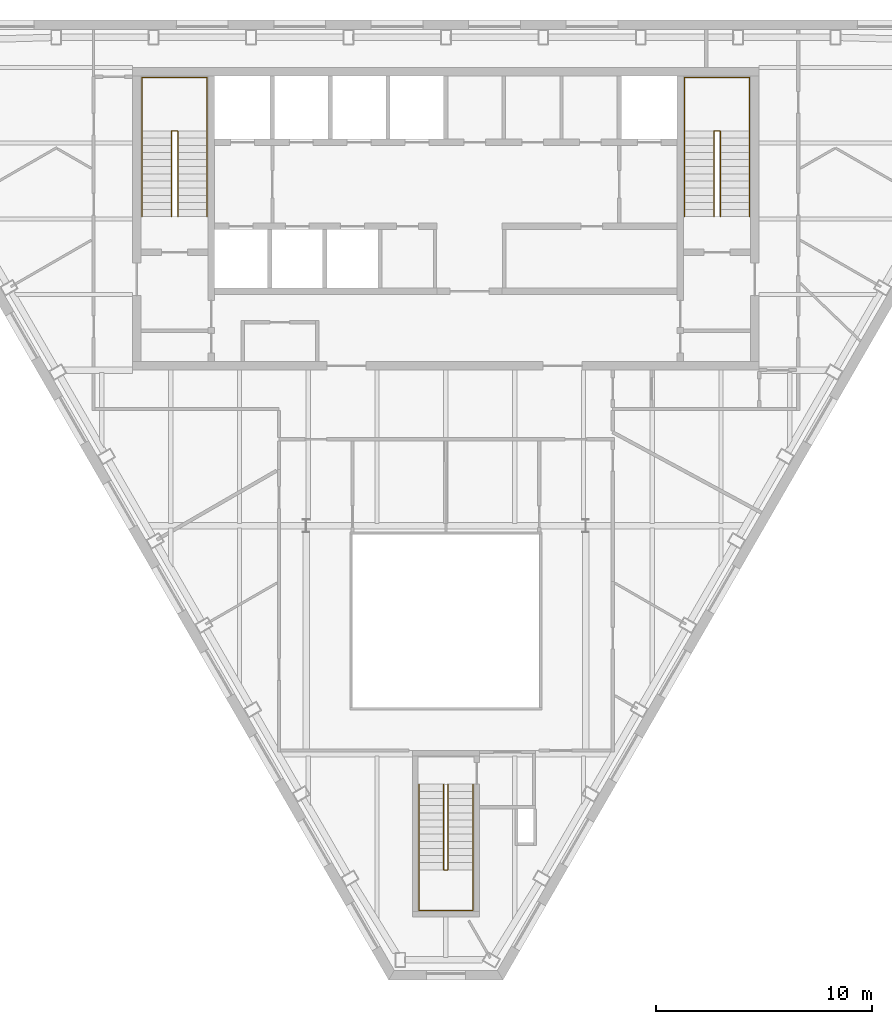
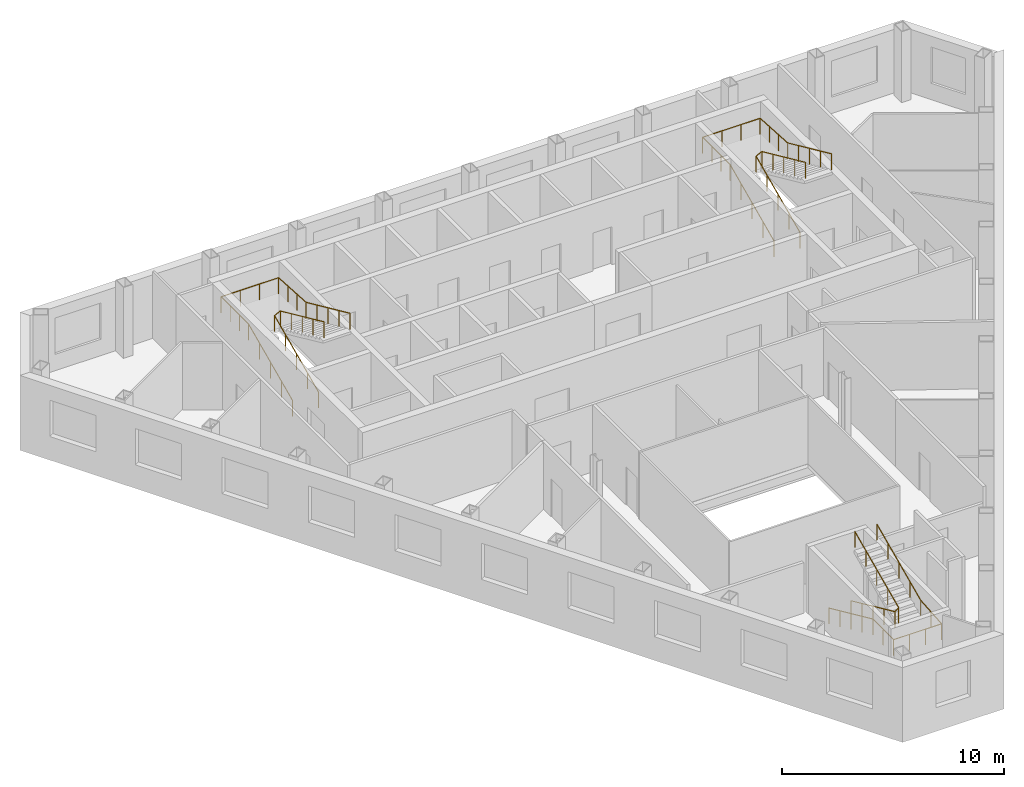
# One storey, part 10 of 10: 6 railings.
"""IFC4 building model written with IfcOpenShell, lengths in metres."""

from ifc_helpers import new_model, si_unit, direction, frame, origin, origin_2d, place, context, subcontext, project, spatial, circle, extrude, material, type_object, element, save


model = new_model("IFC4")

# Units and contexts
model_context = context("Model", 3, precision=1e-05, world=origin(), true_north=direction((0.0, 1.0)))
body_context = subcontext(model_context, "Body", "Model", "MODEL_VIEW")
ifc_project = project(units=[si_unit("LENGTHUNIT", "METRE"), si_unit("AREAUNIT", "SQUARE_METRE"), si_unit("VOLUMEUNIT", "CUBIC_METRE"), si_unit("PLANEANGLEUNIT", "RADIAN"), si_unit("MASSUNIT", "GRAM", prefix="KILO")], contexts=[model_context])

# Site, building, storey
site_placement = place(None, origin())
site = spatial("IfcSite", under=ifc_project, at=site_placement, CompositionType="ELEMENT")
building_placement = place(site_placement, origin())
building = spatial("IfcBuilding", under=site, at=building_placement, Name="Njiva Tower", CompositionType="ELEMENT")
storey_placement = place(building_placement, frame((0.0, 0.0, 288.3)))
storey = spatial("IfcBuildingStorey", under=building, at=storey_placement, Name="L66", CompositionType="ELEMENT", Elevation=288.3)

# Railings
ifc_material = material(Name="Stainless steel", Category="steel")
railing_type = type_object("IfcRailingType", Name="RL1 Stair handrail 900", PredefinedType="HANDRAIL", material=ifc_material)
railing_1_placement = place(storey_placement, frame((-14.05, 11.1, 0.15)))
element("IfcRailing", 1, at=railing_1_placement, inside=storey, type_object=railing_type, Name="Stair A handrail", PredefinedType="HANDRAIL", context=body_context, shape_type="SweptSolid", body=[
    extrude(circle(Radius=0.024, at=origin_2d()), frame((0.0, 0.0, 0.876), z_axis=(0.0, 0.910366477463, 0.413802944301), x_axis=(-1.0, 0.0, 0.0)), (0.0, 0.0, 1.0), 4.3499),
    extrude(circle(Radius=0.024, at=origin_2d()), frame((0.0, 3.96, 2.676), z_axis=(0.0, 1.0, 0.0), x_axis=(-1.0, 0.0, 0.0)), (0.0, 0.0, 1.0), 2.49),
    extrude(circle(Radius=0.024, at=origin_2d()), frame((0.0, 6.45, 2.676), z_axis=(1.0, 0.0, 0.0), x_axis=(0.0, 1.0, 0.0)), (0.0, 0.0, 1.0), 3.0),
    extrude(circle(Radius=0.024, at=origin_2d()), frame((3.0, 6.45, 2.676), z_axis=(0.0, -0.998190436793, 0.060131954024), x_axis=(1.0, 0.0, 0.0)), (0.0, 0.0, 1.0), 2.4945),
    extrude(circle(Radius=0.024, at=origin_2d()), frame((3.0, 3.96, 2.826), z_axis=(0.0, -0.910366477463, 0.413802944301), x_axis=(1.0, 0.0, 0.0)), (0.0, 0.0, 1.0), 4.3499),
    extrude(circle(Radius=0.021, at=origin_2d()), origin(), (0.0, 0.0, 1.0), 0.852),
    extrude(circle(Radius=0.021, at=origin_2d()), frame((0.0, 0.99, 0.45)), (0.0, 0.0, 1.0), 0.852),
    extrude(circle(Radius=0.021, at=origin_2d()), frame((0.0, 1.98, 0.9)), (0.0, 0.0, 1.0), 0.852),
    extrude(circle(Radius=0.021, at=origin_2d()), frame((0.0, 2.97, 1.35)), (0.0, 0.0, 1.0), 0.852),
    extrude(circle(Radius=0.021, at=origin_2d()), frame((0.0, 3.96, 1.8)), (0.0, 0.0, 1.0), 0.852),
    extrude(circle(Radius=0.021, at=origin_2d()), frame((0.0, 4.79, 1.8)), (0.0, 0.0, 1.0), 0.852),
    extrude(circle(Radius=0.021, at=origin_2d()), frame((0.0, 5.62, 1.8)), (0.0, 0.0, 1.0), 0.852),
    extrude(circle(Radius=0.021, at=origin_2d()), frame((0.0, 6.45, 1.8)), (0.0, 0.0, 1.0), 0.852),
    extrude(circle(Radius=0.021, at=origin_2d()), frame((1.0, 6.45, 1.8)), (0.0, 0.0, 1.0), 0.852),
    extrude(circle(Radius=0.021, at=origin_2d()), frame((2.0, 6.45, 1.8)), (0.0, 0.0, 1.0), 0.852),
    extrude(circle(Radius=0.021, at=origin_2d()), frame((3.0, 6.45, 1.8)), (0.0, 0.0, 1.0), 0.852),
    extrude(circle(Radius=0.021, at=origin_2d()), frame((3.0, 5.62, 1.85)), (0.0, 0.0, 1.0), 0.852),
    extrude(circle(Radius=0.021, at=origin_2d()), frame((3.0, 4.79, 1.9)), (0.0, 0.0, 1.0), 0.852),
    extrude(circle(Radius=0.021, at=origin_2d()), frame((3.0, 3.96, 1.95)), (0.0, 0.0, 1.0), 0.852),
    extrude(circle(Radius=0.021, at=origin_2d()), frame((3.0, 2.97, 2.4)), (0.0, 0.0, 1.0), 0.852),
    extrude(circle(Radius=0.021, at=origin_2d()), frame((3.0, 1.98, 2.85)), (0.0, 0.0, 1.0), 0.852),
    extrude(circle(Radius=0.021, at=origin_2d()), frame((3.0, 0.99, 3.3)), (0.0, 0.0, 1.0), 0.852),
    extrude(circle(Radius=0.021, at=origin_2d()), frame((3.0, 0.0, 3.75)), (0.0, 0.0, 1.0), 0.852),
])
railing_2_placement = place(storey_placement, frame((-12.7, 11.1, 0.15)))
element("IfcRailing", 2, at=railing_2_placement, inside=storey, type_object=railing_type, Name="Stair A handrail", PredefinedType="HANDRAIL", context=body_context, shape_type="SweptSolid", body=[
    extrude(circle(Radius=0.024, at=origin_2d()), frame((0.0, 0.0, 0.876), z_axis=(0.0, 0.910366477463, 0.413802944301), x_axis=(-1.0, 0.0, 0.0)), (0.0, 0.0, 1.0), 4.3499),
    extrude(circle(Radius=0.024, at=origin_2d()), frame((0.0, 3.96, 2.676), z_axis=(0.894427191, 0.0, 0.4472135955), x_axis=(0.0, 1.0, 0.0)), (0.0, 0.0, 1.0), 0.3354),
    extrude(circle(Radius=0.024, at=origin_2d()), frame((0.3, 3.96, 2.826), z_axis=(0.0, -0.910366477463, 0.413802944301), x_axis=(1.0, 0.0, 0.0)), (0.0, 0.0, 1.0), 4.3499),
    extrude(circle(Radius=0.021, at=origin_2d()), origin(), (0.0, 0.0, 1.0), 0.852),
    extrude(circle(Radius=0.021, at=origin_2d()), frame((0.0, 0.99, 0.45)), (0.0, 0.0, 1.0), 0.852),
    extrude(circle(Radius=0.021, at=origin_2d()), frame((0.0, 1.98, 0.9)), (0.0, 0.0, 1.0), 0.852),
    extrude(circle(Radius=0.021, at=origin_2d()), frame((0.0, 2.97, 1.35)), (0.0, 0.0, 1.0), 0.852),
    extrude(circle(Radius=0.021, at=origin_2d()), frame((0.0, 3.96, 1.8)), (0.0, 0.0, 1.0), 0.852),
    extrude(circle(Radius=0.021, at=origin_2d()), frame((0.3, 3.96, 1.95)), (0.0, 0.0, 1.0), 0.852),
    extrude(circle(Radius=0.021, at=origin_2d()), frame((0.3, 2.97, 2.4)), (0.0, 0.0, 1.0), 0.852),
    extrude(circle(Radius=0.021, at=origin_2d()), frame((0.3, 1.98, 2.85)), (0.0, 0.0, 1.0), 0.852),
    extrude(circle(Radius=0.021, at=origin_2d()), frame((0.3, 0.99, 3.3)), (0.0, 0.0, 1.0), 0.852),
    extrude(circle(Radius=0.021, at=origin_2d()), frame((0.3, 0.0, 3.75)), (0.0, 0.0, 1.0), 0.852),
])
railing_3_placement = place(storey_placement, frame((11.05, 11.1, 0.15)))
element("IfcRailing", 3, at=railing_3_placement, inside=storey, type_object=railing_type, Name="Stair B handrail", PredefinedType="HANDRAIL", context=body_context, shape_type="SweptSolid", body=[
    extrude(circle(Radius=0.024, at=origin_2d()), frame((0.0, 0.0, 0.876), z_axis=(0.0, 0.910366477463, 0.413802944301), x_axis=(-1.0, 0.0, 0.0)), (0.0, 0.0, 1.0), 4.3499),
    extrude(circle(Radius=0.024, at=origin_2d()), frame((0.0, 3.96, 2.676), z_axis=(0.0, 1.0, 0.0), x_axis=(-1.0, 0.0, 0.0)), (0.0, 0.0, 1.0), 2.49),
    extrude(circle(Radius=0.024, at=origin_2d()), frame((0.0, 6.45, 2.676), z_axis=(1.0, 0.0, 0.0), x_axis=(0.0, 1.0, 0.0)), (0.0, 0.0, 1.0), 3.0),
    extrude(circle(Radius=0.024, at=origin_2d()), frame((3.0, 6.45, 2.676), z_axis=(0.0, -0.998190436793, 0.060131954024), x_axis=(1.0, 0.0, 0.0)), (0.0, 0.0, 1.0), 2.4945),
    extrude(circle(Radius=0.024, at=origin_2d()), frame((3.0, 3.96, 2.826), z_axis=(0.0, -0.910366477463, 0.413802944301), x_axis=(1.0, 0.0, 0.0)), (0.0, 0.0, 1.0), 4.3499),
    extrude(circle(Radius=0.021, at=origin_2d()), origin(), (0.0, 0.0, 1.0), 0.852),
    extrude(circle(Radius=0.021, at=origin_2d()), frame((0.0, 0.99, 0.45)), (0.0, 0.0, 1.0), 0.852),
    extrude(circle(Radius=0.021, at=origin_2d()), frame((0.0, 1.98, 0.9)), (0.0, 0.0, 1.0), 0.852),
    extrude(circle(Radius=0.021, at=origin_2d()), frame((0.0, 2.97, 1.35)), (0.0, 0.0, 1.0), 0.852),
    extrude(circle(Radius=0.021, at=origin_2d()), frame((0.0, 3.96, 1.8)), (0.0, 0.0, 1.0), 0.852),
    extrude(circle(Radius=0.021, at=origin_2d()), frame((0.0, 4.79, 1.8)), (0.0, 0.0, 1.0), 0.852),
    extrude(circle(Radius=0.021, at=origin_2d()), frame((0.0, 5.62, 1.8)), (0.0, 0.0, 1.0), 0.852),
    extrude(circle(Radius=0.021, at=origin_2d()), frame((0.0, 6.45, 1.8)), (0.0, 0.0, 1.0), 0.852),
    extrude(circle(Radius=0.021, at=origin_2d()), frame((1.0, 6.45, 1.8)), (0.0, 0.0, 1.0), 0.852),
    extrude(circle(Radius=0.021, at=origin_2d()), frame((2.0, 6.45, 1.8)), (0.0, 0.0, 1.0), 0.852),
    extrude(circle(Radius=0.021, at=origin_2d()), frame((3.0, 6.45, 1.8)), (0.0, 0.0, 1.0), 0.852),
    extrude(circle(Radius=0.021, at=origin_2d()), frame((3.0, 5.62, 1.85)), (0.0, 0.0, 1.0), 0.852),
    extrude(circle(Radius=0.021, at=origin_2d()), frame((3.0, 4.79, 1.9)), (0.0, 0.0, 1.0), 0.852),
    extrude(circle(Radius=0.021, at=origin_2d()), frame((3.0, 3.96, 1.95)), (0.0, 0.0, 1.0), 0.852),
    extrude(circle(Radius=0.021, at=origin_2d()), frame((3.0, 2.97, 2.4)), (0.0, 0.0, 1.0), 0.852),
    extrude(circle(Radius=0.021, at=origin_2d()), frame((3.0, 1.98, 2.85)), (0.0, 0.0, 1.0), 0.852),
    extrude(circle(Radius=0.021, at=origin_2d()), frame((3.0, 0.99, 3.3)), (0.0, 0.0, 1.0), 0.852),
    extrude(circle(Radius=0.021, at=origin_2d()), frame((3.0, 0.0, 3.75)), (0.0, 0.0, 1.0), 0.852),
])
railing_4_placement = place(storey_placement, frame((12.4, 11.1, 0.15)))
element("IfcRailing", 4, at=railing_4_placement, inside=storey, type_object=railing_type, Name="Stair B handrail", PredefinedType="HANDRAIL", context=body_context, shape_type="SweptSolid", body=[
    extrude(circle(Radius=0.024, at=origin_2d()), frame((0.0, 0.0, 0.876), z_axis=(0.0, 0.910366477463, 0.413802944301), x_axis=(-1.0, 0.0, 0.0)), (0.0, 0.0, 1.0), 4.3499),
    extrude(circle(Radius=0.024, at=origin_2d()), frame((0.0, 3.96, 2.676), z_axis=(0.894427191, 0.0, 0.4472135955), x_axis=(0.0, 1.0, 0.0)), (0.0, 0.0, 1.0), 0.3354),
    extrude(circle(Radius=0.024, at=origin_2d()), frame((0.3, 3.96, 2.826), z_axis=(0.0, -0.910366477463, 0.413802944301), x_axis=(1.0, 0.0, 0.0)), (0.0, 0.0, 1.0), 4.3499),
    extrude(circle(Radius=0.021, at=origin_2d()), origin(), (0.0, 0.0, 1.0), 0.852),
    extrude(circle(Radius=0.021, at=origin_2d()), frame((0.0, 0.99, 0.45)), (0.0, 0.0, 1.0), 0.852),
    extrude(circle(Radius=0.021, at=origin_2d()), frame((0.0, 1.98, 0.9)), (0.0, 0.0, 1.0), 0.852),
    extrude(circle(Radius=0.021, at=origin_2d()), frame((0.0, 2.97, 1.35)), (0.0, 0.0, 1.0), 0.852),
    extrude(circle(Radius=0.021, at=origin_2d()), frame((0.0, 3.96, 1.8)), (0.0, 0.0, 1.0), 0.852),
    extrude(circle(Radius=0.021, at=origin_2d()), frame((0.3, 3.96, 1.95)), (0.0, 0.0, 1.0), 0.852),
    extrude(circle(Radius=0.021, at=origin_2d()), frame((0.3, 2.97, 2.4)), (0.0, 0.0, 1.0), 0.852),
    extrude(circle(Radius=0.021, at=origin_2d()), frame((0.3, 1.98, 2.85)), (0.0, 0.0, 1.0), 0.852),
    extrude(circle(Radius=0.021, at=origin_2d()), frame((0.3, 0.99, 3.3)), (0.0, 0.0, 1.0), 0.852),
    extrude(circle(Radius=0.021, at=origin_2d()), frame((0.3, 0.0, 3.75)), (0.0, 0.0, 1.0), 0.852),
])
railing_5_placement = place(storey_placement, frame((-1.25, -15.16, 0.15)))
element("IfcRailing", 5, at=railing_5_placement, inside=storey, type_object=railing_type, Name="Stair C handrail", PredefinedType="HANDRAIL", context=body_context, shape_type="SweptSolid", body=[
    extrude(circle(Radius=0.024, at=origin_2d()), frame((0.0, 0.0, 0.876), z_axis=(0.0, -0.910366477463, 0.413802944301), x_axis=(1.0, 0.0, 0.0)), (0.0, 0.0, 1.0), 4.3499),
    extrude(circle(Radius=0.024, at=origin_2d()), frame((0.0, -3.96, 2.676), z_axis=(0.0, -1.0, 0.0), x_axis=(1.0, 0.0, 0.0)), (0.0, 0.0, 1.0), 1.88),
    extrude(circle(Radius=0.024, at=origin_2d()), frame((0.0, -5.84, 2.676), z_axis=(1.0, 0.0, 0.0), x_axis=(0.0, 1.0, 0.0)), (0.0, 0.0, 1.0), 2.5),
    extrude(circle(Radius=0.024, at=origin_2d()), frame((2.5, -5.84, 2.676), z_axis=(0.0, 0.996832115713, 0.079534477318), x_axis=(-1.0, 0.0, 0.0)), (0.0, 0.0, 1.0), 1.886),
    extrude(circle(Radius=0.024, at=origin_2d()), frame((2.5, -3.96, 2.826), z_axis=(0.0, 0.910366477463, 0.413802944301), x_axis=(-1.0, 0.0, 0.0)), (0.0, 0.0, 1.0), 4.3499),
    extrude(circle(Radius=0.021, at=origin_2d()), origin(), (0.0, 0.0, 1.0), 0.852),
    extrude(circle(Radius=0.021, at=origin_2d()), frame((0.0, -0.99, 0.45)), (0.0, 0.0, 1.0), 0.852),
    extrude(circle(Radius=0.021, at=origin_2d()), frame((0.0, -1.98, 0.9)), (0.0, 0.0, 1.0), 0.852),
    extrude(circle(Radius=0.021, at=origin_2d()), frame((0.0, -2.97, 1.35)), (0.0, 0.0, 1.0), 0.852),
    extrude(circle(Radius=0.021, at=origin_2d()), frame((0.0, -3.96, 1.8)), (0.0, 0.0, 1.0), 0.852),
    extrude(circle(Radius=0.021, at=origin_2d()), frame((0.0, -4.9, 1.8)), (0.0, 0.0, 1.0), 0.852),
    extrude(circle(Radius=0.021, at=origin_2d()), frame((0.0, -5.84, 1.8)), (0.0, 0.0, 1.0), 0.852),
    extrude(circle(Radius=0.021, at=origin_2d()), frame((0.8333, -5.84, 1.8)), (0.0, 0.0, 1.0), 0.852),
    extrude(circle(Radius=0.021, at=origin_2d()), frame((1.6667, -5.84, 1.8)), (0.0, 0.0, 1.0), 0.852),
    extrude(circle(Radius=0.021, at=origin_2d()), frame((2.5, -5.84, 1.8)), (0.0, 0.0, 1.0), 0.852),
    extrude(circle(Radius=0.021, at=origin_2d()), frame((2.5, -4.9, 1.875)), (0.0, 0.0, 1.0), 0.852),
    extrude(circle(Radius=0.021, at=origin_2d()), frame((2.5, -3.96, 1.95)), (0.0, 0.0, 1.0), 0.852),
    extrude(circle(Radius=0.021, at=origin_2d()), frame((2.5, -2.97, 2.4)), (0.0, 0.0, 1.0), 0.852),
    extrude(circle(Radius=0.021, at=origin_2d()), frame((2.5, -1.98, 2.85)), (0.0, 0.0, 1.0), 0.852),
    extrude(circle(Radius=0.021, at=origin_2d()), frame((2.5, -0.99, 3.3)), (0.0, 0.0, 1.0), 0.852),
    extrude(circle(Radius=0.021, at=origin_2d()), frame((2.5, 0.0, 3.75)), (0.0, 0.0, 1.0), 0.852),
])
railing_6_placement = place(storey_placement, frame((-0.1, -15.16, 0.15)))
element("IfcRailing", 6, at=railing_6_placement, inside=storey, type_object=railing_type, Name="Stair C handrail", PredefinedType="HANDRAIL", context=body_context, shape_type="SweptSolid", body=[
    extrude(circle(Radius=0.024, at=origin_2d()), frame((0.0, 0.0, 0.876), z_axis=(0.0, -0.910366477463, 0.413802944301), x_axis=(1.0, 0.0, 0.0)), (0.0, 0.0, 1.0), 4.3499),
    extrude(circle(Radius=0.024, at=origin_2d()), frame((0.0, -3.96, 2.676), z_axis=(0.8, 0.0, 0.6), x_axis=(0.0, 1.0, 0.0)), (0.0, 0.0, 1.0), 0.25),
    extrude(circle(Radius=0.024, at=origin_2d()), frame((0.2, -3.96, 2.826), z_axis=(0.0, 0.910366477463, 0.413802944301), x_axis=(-1.0, 0.0, 0.0)), (0.0, 0.0, 1.0), 4.3499),
    extrude(circle(Radius=0.021, at=origin_2d()), origin(), (0.0, 0.0, 1.0), 0.852),
    extrude(circle(Radius=0.021, at=origin_2d()), frame((0.0, -0.99, 0.45)), (0.0, 0.0, 1.0), 0.852),
    extrude(circle(Radius=0.021, at=origin_2d()), frame((0.0, -1.98, 0.9)), (0.0, 0.0, 1.0), 0.852),
    extrude(circle(Radius=0.021, at=origin_2d()), frame((0.0, -2.97, 1.35)), (0.0, 0.0, 1.0), 0.852),
    extrude(circle(Radius=0.021, at=origin_2d()), frame((0.0, -3.96, 1.8)), (0.0, 0.0, 1.0), 0.852),
    extrude(circle(Radius=0.021, at=origin_2d()), frame((0.2, -3.96, 1.95)), (0.0, 0.0, 1.0), 0.852),
    extrude(circle(Radius=0.021, at=origin_2d()), frame((0.2, -2.97, 2.4)), (0.0, 0.0, 1.0), 0.852),
    extrude(circle(Radius=0.021, at=origin_2d()), frame((0.2, -1.98, 2.85)), (0.0, 0.0, 1.0), 0.852),
    extrude(circle(Radius=0.021, at=origin_2d()), frame((0.2, -0.99, 3.3)), (0.0, 0.0, 1.0), 0.852),
    extrude(circle(Radius=0.021, at=origin_2d()), frame((0.2, 0.0, 3.75)), (0.0, 0.0, 1.0), 0.852),
])

save(model, "model.ifc")
